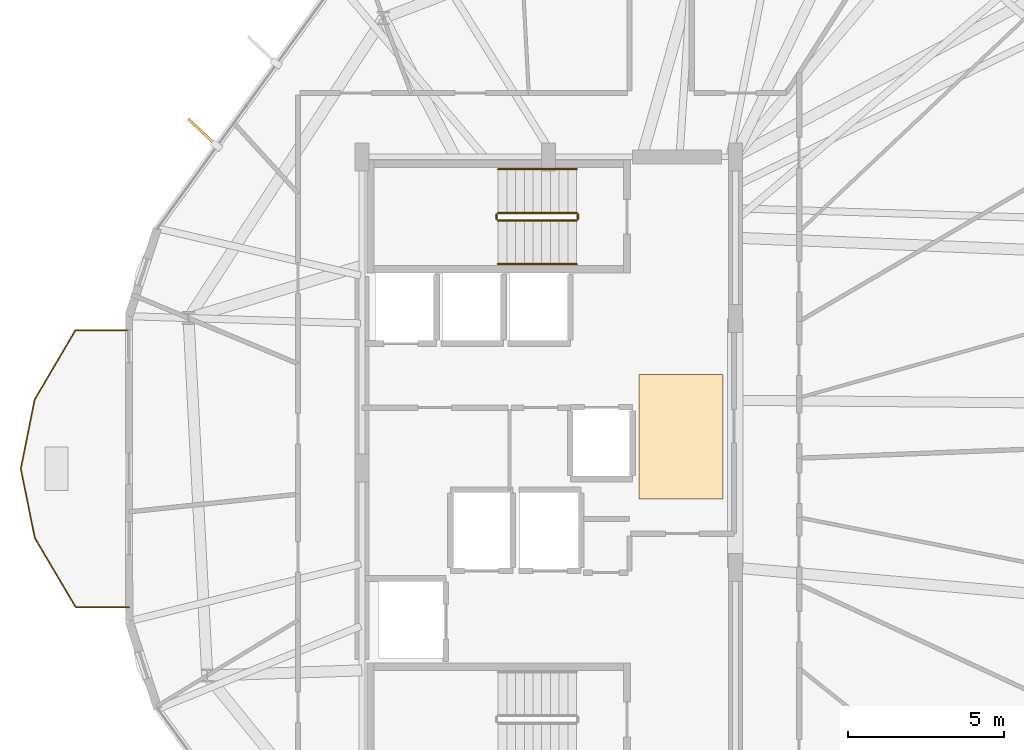
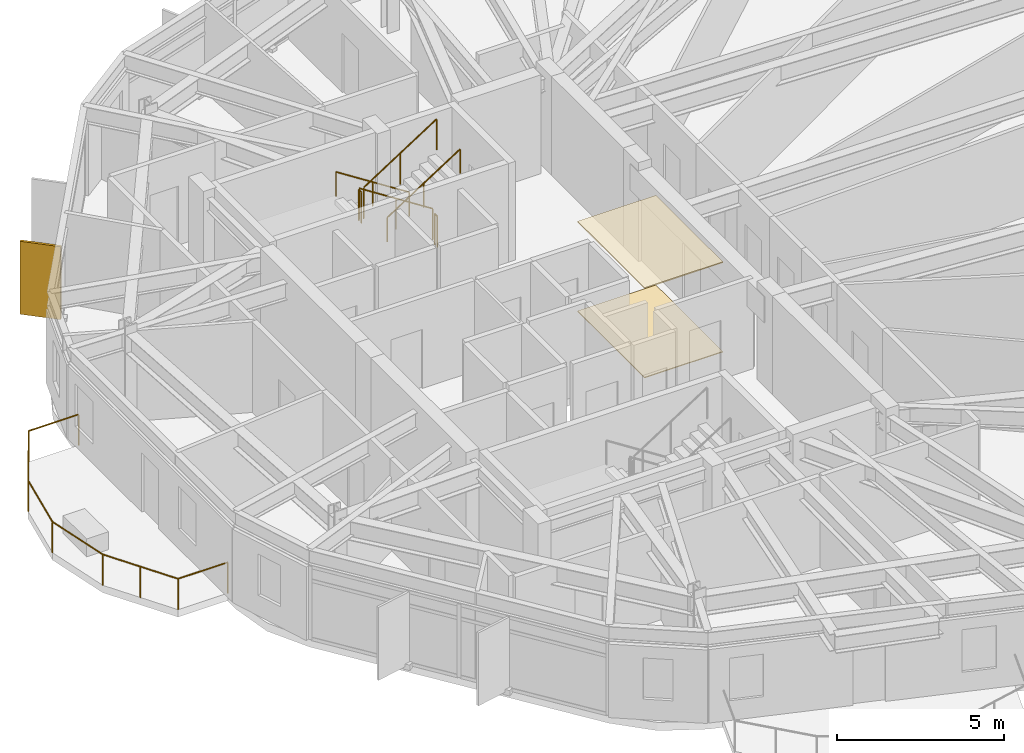
# One storey, part 30 of 31: 7 railings, 2 coverings, 1 shading device.
"""IFC4 building model written with IfcOpenShell, lengths in metres."""

from ifc_helpers import new_model, si_unit, direction, frame, origin, origin_2d, place, context, subcontext, project, spatial, polyline, rectangle, circle, outline, extrude, material, layer, layer_set, type_object, element, save


model = new_model("IFC4")

# Units and contexts
model_context = context("Model", 3, precision=1e-05, world=origin(), true_north=direction((0.0, 1.0)))
body_context = subcontext(model_context, "Body", "Model", "MODEL_VIEW")
ifc_project = project(units=[si_unit("LENGTHUNIT", "METRE"), si_unit("AREAUNIT", "SQUARE_METRE"), si_unit("VOLUMEUNIT", "CUBIC_METRE"), si_unit("PLANEANGLEUNIT", "RADIAN"), si_unit("MASSUNIT", "GRAM", prefix="KILO")], contexts=[model_context])

# Site, building, storey
site_placement = place(None, origin())
site = spatial("IfcSite", under=ifc_project, at=site_placement, CompositionType="ELEMENT")
building_placement = place(site_placement, origin())
building = spatial("IfcBuilding", under=site, at=building_placement, Name="Soratama Intermodal Tower", CompositionType="ELEMENT")
storey_placement = place(building_placement, frame((0.0, 0.0, 230.199951171875)))
storey = spatial("IfcBuildingStorey", under=building, at=storey_placement, Name="L58", CompositionType="ELEMENT", Elevation=230.199951171875)

# Coverings
ifc_material_1 = material(Name="Perforated mineral acoustic ceiling", Category="concrete")
ifc_layer_1 = layer(ifc_material_1, 0.0400390625)
ifc_layer_set_1 = layer_set([ifc_layer_1], Name="Perforated mineral acoustic ceiling")
covering_type_1 = type_object("IfcCoveringType", Name="CV-CEIL-ACOUSTIC", PredefinedType="CEILING", material=ifc_layer_set_1)
covering_1_placement = place(storey_placement, frame((0.0, 0.0, 3.260009765625)))
element("IfcCovering", 1, at=covering_1_placement, inside=storey, type_object=covering_type_1, Name="L58 Acoustic Ceiling", PredefinedType="CEILING", context=body_context, shape_type="SweptSolid", body=[
    extrude(outline(polyline([(41.5, 24.0), (44.199951171875, 24.0), (44.199951171875, 28.0), (41.5, 28.0), (41.5, 24.0)])), origin(), (0.0, 0.0, 1.0), 0.0400390625),
])
ifc_material_2 = material(Name="Polished Andean stone terrazzo flooring", Category="masonry")
ifc_layer_2 = layer(ifc_material_2, 0.030029296875)
ifc_layer_set_2 = layer_set([ifc_layer_2], Name="Polished Andean stone terrazzo flooring")
covering_type_2 = type_object("IfcCoveringType", Name="CV-FLOR-TERRAZZO", PredefinedType="FLOORING", material=ifc_layer_set_2)
covering_2_placement = place(storey_placement, origin())
element("IfcCovering", 2, at=covering_2_placement, inside=storey, type_object=covering_type_2, Name="L58 Lobby Terrazzo Flooring", PredefinedType="FLOORING", context=body_context, shape_type="SweptSolid", body=[
    extrude(outline(polyline([(41.5, 24.0), (44.199951171875, 24.0), (44.199951171875, 28.0), (41.5, 28.0), (41.5, 24.0)])), origin(), (0.0, 0.0, 1.0), 0.030029296875),
])

# Railings
ifc_material_3 = material(Name="Laminated glass and stainless steel balustrade", Category="steel")
railing_type_1 = type_object("IfcRailingType", Name="RL-BAL-1150", PredefinedType="BALUSTRADE", material=ifc_material_3)
railing_1_placement = place(storey_placement, frame((25.127685546875, 20.5302734375, 0.0)))
element("IfcRailing", 3, at=railing_1_placement, inside=storey, type_object=railing_type_1, Name="L58 Balcony Balustrade 2", PredefinedType="BALUSTRADE", context=body_context, shape_type="SweptSolid", body=[
    extrude(circle(Radius=0.02392578125, at=origin_2d()), frame((0.0, 0.0, 1.1259765625), z_axis=(-0.999999506367, -0.000993612001, 0.0), x_axis=(0.000993612001, -0.999999506367, 0.0)), (0.0, 0.0, 1.0), 1.719970703125),
    extrude(circle(Radius=0.02392578125, at=origin_2d()), frame((-1.719970703125, -0.001708984375, 1.1259765625), z_axis=(-0.508643292439, 0.860977352232, 0.0), x_axis=(-0.860977352232, -0.508643292439, 0.0)), (0.0, 0.0, 1.0), 2.581787109375),
    extrude(circle(Radius=0.02392578125, at=origin_2d()), frame((-3.033203125, 2.22119140625, 1.1259765625), z_axis=(-0.198908180351, 0.980018130337, 0.0), x_axis=(-0.980018130337, -0.198908180351, 0.0)), (0.0, 0.0, 1.0), 2.26953125),
    extrude(circle(Radius=0.02392578125, at=origin_2d()), frame((-3.484619140625, 4.4453125, 1.1259765625), z_axis=(0.196778169485, 0.980448036366, 0.0), x_axis=(-0.980448036366, 0.196778169485, 0.0)), (0.0, 0.0, 1.0), 2.269287109375),
    extrude(circle(Radius=0.02392578125, at=origin_2d()), frame((-3.0380859375, 6.670166015625, 1.1259765625), z_axis=(0.506813501344, 0.862055726073, 0.0), x_axis=(-0.862055726073, 0.506813501344, 0.0)), (0.0, 0.0, 1.0), 2.58203125),
    extrude(circle(Radius=0.02392578125, at=origin_2d()), frame((-1.7294921875, 8.89599609375, 1.1259765625), z_axis=(0.999999506508, 0.000993470983, 0.0), x_axis=(-0.000993470983, 0.999999506508, 0.0)), (0.0, 0.0, 1.0), 1.72021484375),
    extrude(circle(Radius=0.02099609375, at=origin_2d()), origin(), (0.0, 0.0, 1.0), 1.101806640625),
    extrude(circle(Radius=0.02099609375, at=origin_2d()), frame((-1.719970703125, -0.001708984375, 0.0)), (0.0, 0.0, 1.0), 1.101806640625),
    extrude(circle(Radius=0.02099609375, at=origin_2d()), frame((-2.37646484375, 1.10986328125, 0.0)), (0.0, 0.0, 1.0), 1.101806640625),
    extrude(circle(Radius=0.02099609375, at=origin_2d()), frame((-3.033203125, 2.22119140625, 0.0)), (0.0, 0.0, 1.0), 1.101806640625),
    extrude(circle(Radius=0.02099609375, at=origin_2d()), frame((-3.484619140625, 4.4453125, 0.0)), (0.0, 0.0, 1.0), 1.101806640625),
    extrude(circle(Radius=0.02099609375, at=origin_2d()), frame((-3.0380859375, 6.670166015625, 0.0)), (0.0, 0.0, 1.0), 1.101806640625),
    extrude(circle(Radius=0.02099609375, at=origin_2d()), frame((-2.3837890625, 7.783203125, 0.0)), (0.0, 0.0, 1.0), 1.101806640625),
    extrude(circle(Radius=0.02099609375, at=origin_2d()), frame((-1.7294921875, 8.89599609375, 0.0)), (0.0, 0.0, 1.0), 1.101806640625),
    extrude(circle(Radius=0.02099609375, at=origin_2d()), frame((-0.00927734375, 8.897705078125, 0.0)), (0.0, 0.0, 1.0), 1.101806640625),
])
ifc_material_4 = material(Name="Painted steel stair guardrail", Category="steel")
railing_type_2 = type_object("IfcRailingType", Name="RL-STAIR-GUARD", PredefinedType="GUARDRAIL", material=ifc_material_4)
railing_2_placement = place(storey_placement, frame((39.5, 33.199951171875, 0.179931640625)))
element("IfcRailing", 4, at=railing_2_placement, inside=storey, type_object=railing_type_2, Name="L58 ST-2 stair guard 1", PredefinedType="GUARDRAIL", context=body_context, shape_type="SweptSolid", body=[
    extrude(circle(Radius=0.02392578125, at=origin_2d()), frame((0.0, 0.0, 1.1259765625), z_axis=(-0.841162588446, 0.0, 0.540782303519), x_axis=(0.0, -1.0, 0.0)), (0.0, 0.0, 1.0), 2.995849609375),
    extrude(circle(Radius=0.02099609375, at=origin_2d()), origin(), (0.0, 0.0, 1.0), 1.101806640625),
    extrude(circle(Radius=0.02099609375, at=origin_2d()), frame((-1.260009765625, 0.0, 0.81005859375)), (0.0, 0.0, 1.0), 1.101806640625),
    extrude(circle(Radius=0.02099609375, at=origin_2d()), frame((-2.52001953125, 0.0, 1.6201171875)), (0.0, 0.0, 1.0), 1.101806640625),
])
railing_3_placement = place(storey_placement, frame((36.929931640625, 33.14990234375, 1.800048828125)))
element("IfcRailing", 5, at=railing_3_placement, inside=storey, type_object=railing_type_2, Name="L58 ST-2 stair guard 2", PredefinedType="GUARDRAIL", context=body_context, shape_type="SweptSolid", body=[
    extrude(circle(Radius=0.02392578125, at=origin_2d()), frame((0.0, 0.0, 1.1259765625), z_axis=(0.0, -1.0, 0.0), x_axis=(1.0, 0.0, 0.0)), (0.0, 0.0, 1.0), 0.14990234375),
    extrude(circle(Radius=0.02099609375, at=origin_2d()), origin(), (0.0, 0.0, 1.0), 1.101806640625),
    extrude(circle(Radius=0.02099609375, at=origin_2d()), frame((0.0, -0.14990234375, 0.0)), (0.0, 0.0, 1.0), 1.101806640625),
])
railing_4_placement = place(storey_placement, frame((36.97998046875, 32.949951171875, 1.97998046875)))
element("IfcRailing", 6, at=railing_4_placement, inside=storey, type_object=railing_type_2, Name="L58 ST-2 stair guard 3", PredefinedType="GUARDRAIL", context=body_context, shape_type="SweptSolid", body=[
    extrude(circle(Radius=0.02392578125, at=origin_2d()), frame((0.0, 0.0, 1.1259765625), z_axis=(0.841162588446, 0.0, 0.540782303519), x_axis=(0.0, 1.0, 0.0)), (0.0, 0.0, 1.0), 2.995849609375),
    extrude(circle(Radius=0.02099609375, at=origin_2d()), origin(), (0.0, 0.0, 1.0), 1.101806640625),
    extrude(circle(Radius=0.02099609375, at=origin_2d()), frame((1.260009765625, 0.0, 0.81005859375)), (0.0, 0.0, 1.0), 1.101806640625),
    extrude(circle(Radius=0.02099609375, at=origin_2d()), frame((2.52001953125, 0.0, 1.6201171875)), (0.0, 0.0, 1.0), 1.101806640625),
])
railing_5_placement = place(storey_placement, frame((39.550048828125, 33.14990234375, 0.0)))
element("IfcRailing", 7, at=railing_5_placement, inside=storey, type_object=railing_type_2, Name="L58 ST-2 stair guard 4", PredefinedType="GUARDRAIL", context=body_context, shape_type="SweptSolid", body=[
    extrude(circle(Radius=0.02392578125, at=origin_2d()), frame((0.0, 0.0, 1.1259765625), z_axis=(0.0, -1.0, 0.0), x_axis=(1.0, 0.0, 0.0)), (0.0, 0.0, 1.0), 0.14990234375),
    extrude(circle(Radius=0.02099609375, at=origin_2d()), origin(), (0.0, 0.0, 1.0), 1.101806640625),
    extrude(circle(Radius=0.02099609375, at=origin_2d()), frame((0.0, -0.14990234375, 0.0)), (0.0, 0.0, 1.0), 1.101806640625),
])
ifc_material_5 = material(Name="Brushed stainless steel handrail", Category="steel")
railing_type_3 = type_object("IfcRailingType", Name="RL-STAIR-HAND", PredefinedType="HANDRAIL", material=ifc_material_5)
railing_6_placement = place(storey_placement, frame((39.5, 34.60009765625, 0.179931640625)))
element("IfcRailing", 8, at=railing_6_placement, inside=storey, type_object=railing_type_3, Name="L58 ST-2 stair handrail 1", PredefinedType="HANDRAIL", context=body_context, shape_type="SweptSolid", body=[
    extrude(circle(Radius=0.02392578125, at=origin_2d()), frame((0.0, 0.0, 0.8759765625), z_axis=(-0.841162588446, 0.0, 0.540782303519), x_axis=(0.0, -1.0, 0.0)), (0.0, 0.0, 1.0), 2.995849609375),
    extrude(circle(Radius=0.02099609375, at=origin_2d()), origin(), (0.0, 0.0, 1.0), 0.851806640625),
    extrude(circle(Radius=0.02099609375, at=origin_2d()), frame((-1.260009765625, 0.0, 0.81005859375)), (0.0, 0.0, 1.0), 0.851806640625),
    extrude(circle(Radius=0.02099609375, at=origin_2d()), frame((-2.52001953125, 0.0, 1.6201171875)), (0.0, 0.0, 1.0), 0.851806640625),
])
railing_7_placement = place(storey_placement, frame((36.97998046875, 31.550048828125, 1.97998046875)))
element("IfcRailing", 9, at=railing_7_placement, inside=storey, type_object=railing_type_3, Name="L58 ST-2 stair handrail 2", PredefinedType="HANDRAIL", context=body_context, shape_type="SweptSolid", body=[
    extrude(circle(Radius=0.02392578125, at=origin_2d()), frame((0.0, 0.0, 0.8759765625), z_axis=(0.841162588446, 0.0, 0.540782303519), x_axis=(0.0, 1.0, 0.0)), (0.0, 0.0, 1.0), 2.995849609375),
    extrude(circle(Radius=0.02099609375, at=origin_2d()), origin(), (0.0, 0.0, 1.0), 0.851806640625),
    extrude(circle(Radius=0.02099609375, at=origin_2d()), frame((1.260009765625, 0.0, 0.81005859375)), (0.0, 0.0, 1.0), 0.851806640625),
    extrude(circle(Radius=0.02099609375, at=origin_2d()), frame((2.52001953125, 0.0, 1.6201171875)), (0.0, 0.0, 1.0), 0.851806640625),
])

# Shading device
ifc_material_6 = material(Name="Champagne anodised aluminium solar fin", Category="aluminium")
ifc_layer_3 = layer(ifc_material_6, 0.080078125)
ifc_layer_set_3 = layer_set([ifc_layer_3], Name="Champagne anodised aluminium solar fin")
shading_device_type = type_object("IfcShadingDeviceType", Name="SH-FIN-1250", PredefinedType="USERDEFINED", material=ifc_layer_set_3)
shading_device_placement = place(storey_placement, frame((27.4794921875, 35.787353515625, 0.02001953125), z_axis=(0.0, 0.0, 1.0), x_axis=(-0.727054171443, 0.686580098596, 0.0)))
element("IfcShadingDevice", 10, at=shading_device_placement, inside=storey, type_object=shading_device_type, Name="L58 Solar Fin F03-2", ObjectType="FIN", PredefinedType="USERDEFINED", context=body_context, shape_type="SweptSolid", body=[
    extrude(rectangle(XDim=1.25, YDim=0.080078125, at=origin_2d()), origin(), (0.0, 0.0, 1.0), 2.658935546875),
])

save(model, "model.ifc")
